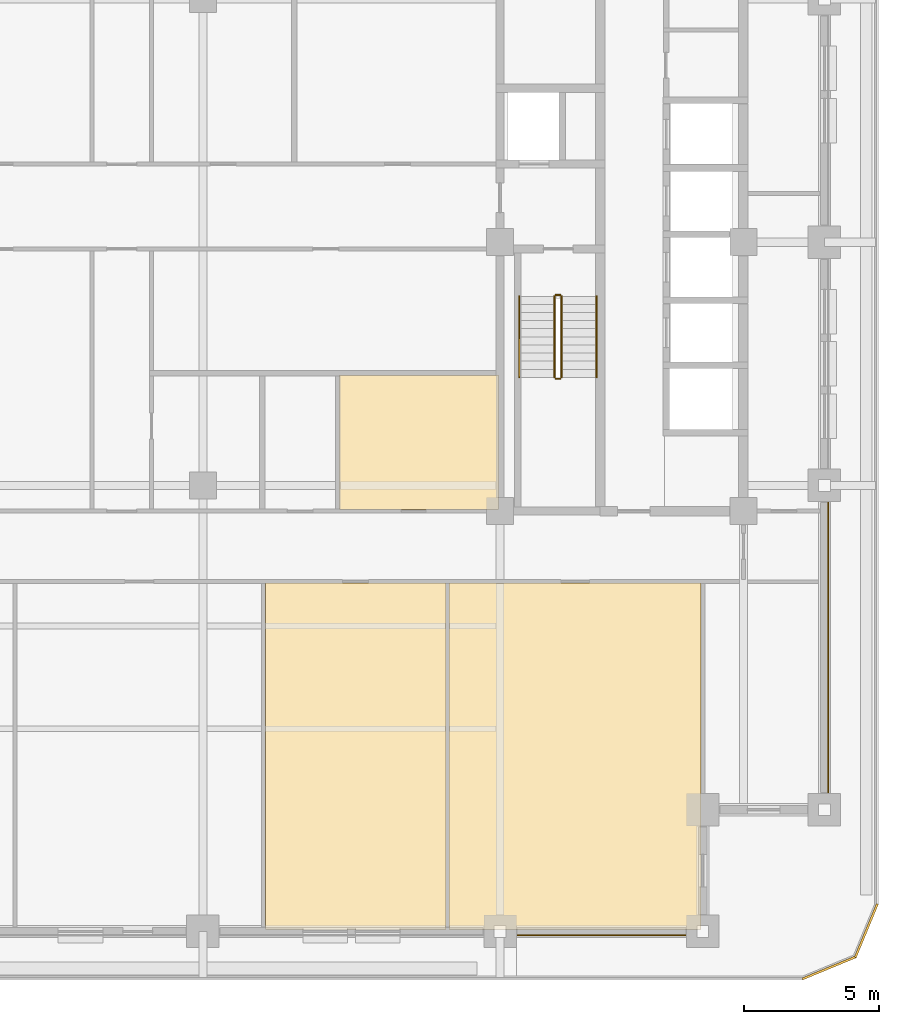
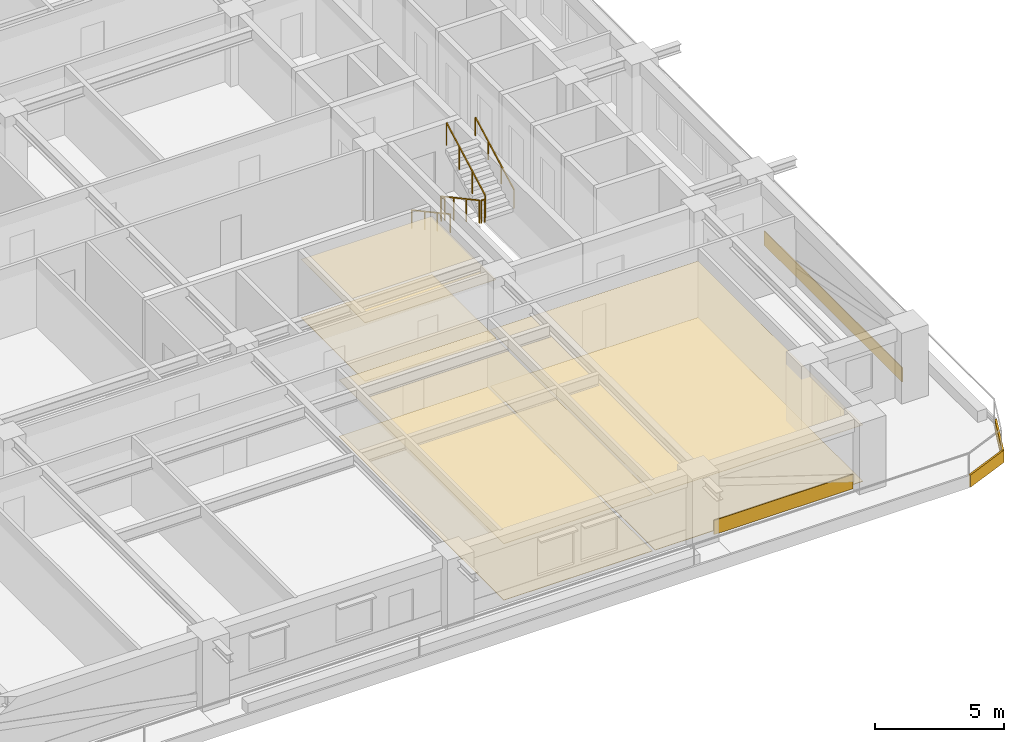
# One storey, part 14 of 16: 10 coverings, 6 railings.
"""IFC4 building model written with IfcOpenShell, lengths in metres."""

from ifc_helpers import new_model, si_unit, direction, frame, frame_2d, origin, origin_2d, place, context, subcontext, project, spatial, polyline, rectangle, outline, extrude, material, layer, layer_set, type_object, element, save


model = new_model("IFC4")

# Units and contexts
model_context = context("Model", 3, precision=1e-05, world=origin(), true_north=direction((0.0, 1.0)))
body_context = subcontext(model_context, "Body", "Model", "MODEL_VIEW")
ifc_project = project(units=[si_unit("LENGTHUNIT", "METRE"), si_unit("AREAUNIT", "SQUARE_METRE"), si_unit("VOLUMEUNIT", "CUBIC_METRE"), si_unit("PLANEANGLEUNIT", "RADIAN"), si_unit("MASSUNIT", "GRAM", prefix="KILO")], contexts=[model_context])

# Site, building, storey
site_placement = place(None, origin())
site = spatial("IfcSite", under=ifc_project, at=site_placement, CompositionType="ELEMENT")
building_placement = place(site_placement, origin())
building = spatial("IfcBuilding", under=site, at=building_placement, Name="Zulmaris Gate Convention Tower", CompositionType="ELEMENT")
storey_placement = place(building_placement, frame((0.0, 0.0, 124.919921875)))
storey = spatial("IfcBuildingStorey", under=building, at=storey_placement, Name="L31", CompositionType="ELEMENT", Elevation=124.919921875)

# Coverings
ifc_material_1 = material(Name="Precast concrete C40/50", Category="concrete")
ifc_layer_1 = layer(ifc_material_1, 0.0400390625, Name="Precast concrete C40/50")
ifc_layer_set_1 = layer_set([ifc_layer_1], Name="Precast concrete C40/50")
covering_type_1 = type_object("IfcCoveringType", Name="CLAD-SPANDREL-PRECAST", PredefinedType="CLADDING", material=ifc_layer_set_1)
covering_1_placement = place(storey_placement, frame((11.6298828125, -25.64990234375, 0.0), z_axis=(0.0, 0.0, 1.0), x_axis=(1.0, 0.0, 0.0)))
element("IfcCovering", 1, at=covering_1_placement, inside=storey, type_object=covering_type_1, Name="CLD-L31-S-3_0", PredefinedType="CLADDING", context=body_context, shape_type="SweptSolid", body=[
    extrude(rectangle(XDim=6.240234375, YDim=0.0400390625, at=frame_2d((3.1201171875, 0.0))), origin(), (0.0, 0.0, 1.0), 0.679931640625),
])
covering_2_placement = place(storey_placement, frame((23.14990234375, -20.3701171875, 0.0), z_axis=(0.0, 0.0, 1.0), x_axis=(0.0, 1.0, 0.0)))
element("IfcCovering", 2, at=covering_2_placement, inside=storey, type_object=covering_type_1, Name="CLD-L31-E-0_0", PredefinedType="CLADDING", context=body_context, shape_type="SweptSolid", body=[
    extrude(rectangle(XDim=10.740234375, YDim=0.0400390625, at=frame_2d((5.3701171875, 0.0))), origin(), (0.0, 0.0, 1.0), 0.679931640625),
])
ifc_material_2 = material(Name="White Glazed Architectural Precast Concrete C40/50", Category="concrete")
ifc_layer_2 = layer(ifc_material_2, 0.080078125, Name="White Glazed Architectural Precast Concrete C40/50")
ifc_layer_set_2 = layer_set([ifc_layer_2], Name="White Glazed Architectural Precast Concrete C40/50")
covering_type_2 = type_object("IfcCoveringType", Name="CLAD-TRAY-FASCIA", PredefinedType="CLADDING", material=ifc_layer_set_2)
covering_3_placement = place(storey_placement, frame((22.184814453125, -27.262939453125, -0.465087890625), z_axis=(0.0, 0.0, 1.0), x_axis=(0.923873803533, 0.382697263049, 0.0)))
element("IfcCovering", 3, at=covering_3_placement, inside=storey, type_object=covering_type_2, Name="FSC-L31-TR-03", PredefinedType="CLADDING", context=body_context, shape_type="SweptSolid", body=[
    extrude(rectangle(XDim=2.142822265625, YDim=0.080078125, at=frame_2d((1.0712890625, 0.0))), origin(), (0.0, 0.0, 1.0), 0.5849609375),
])
covering_4_placement = place(storey_placement, frame((24.142822265625, -26.464599609375, -0.465087890625), z_axis=(0.0, 0.0, 1.0), x_axis=(0.382656984709, 0.923890487046, 0.0)))
element("IfcCovering", 4, at=covering_4_placement, inside=storey, type_object=covering_type_2, Name="FSC-L31-TR-04", PredefinedType="CLADDING", context=body_context, shape_type="SweptSolid", body=[
    extrude(rectangle(XDim=2.14306640625, YDim=0.080078125, at=frame_2d((1.071533203125, 0.0))), origin(), (0.0, 0.0, 1.0), 0.5849609375),
])
ifc_material_3 = material(Name="Mineral Fibre Acoustic Ceiling Tile")
ifc_layer_3 = layer(ifc_material_3, 0.02001953125, Name="Mineral Fibre Acoustic Ceiling Tile")
ifc_layer_set_3 = layer_set([ifc_layer_3], Name="Mineral Fibre Acoustic Ceiling Tile")
covering_type_3 = type_object("IfcCoveringType", Name="CLG-ACOUSTIC-600", PredefinedType="CEILING", material=ifc_layer_set_3)
covering_5_placement = place(storey_placement, frame((0.0, 0.0, 2.6796875)))
element("IfcCovering", 5, at=covering_5_placement, inside=storey, type_object=covering_type_3, Name="CLG-L31-R39", PredefinedType="CEILING", context=body_context, shape_type="SweptSolid", body=[
    extrude(outline(polyline([(2.31005859375, -25.43994140625), (8.989990234375, -25.43994140625), (8.989990234375, -12.610107421875), (2.31005859375, -12.610107421875), (2.31005859375, -25.43994140625)])), origin(), (0.0, 0.0, 1.0), 0.02001953125),
])
covering_6_placement = place(storey_placement, frame((0.0, 0.0, 2.6796875)))
element("IfcCovering", 6, at=covering_6_placement, inside=storey, type_object=covering_type_3, Name="CLG-L31-R40", PredefinedType="CEILING", context=body_context, shape_type="SweptSolid", body=[
    extrude(outline(polyline([(9.110107421875, -25.43994140625), (18.43994140625, -25.43994140625), (18.43994140625, -12.610107421875), (9.110107421875, -12.610107421875), (9.110107421875, -25.43994140625)])), origin(), (0.0, 0.0, 1.0), 0.02001953125),
])
covering_7_placement = place(storey_placement, frame((0.0, 0.0, 2.77783203125)))
element("IfcCovering", 7, at=covering_7_placement, inside=storey, type_object=covering_type_3, Name="CLG-L31-R48", PredefinedType="CEILING", context=body_context, shape_type="SweptSolid", body=[
    extrude(outline(polyline([(5.06005859375, -9.889892578125), (10.93994140625, -9.889892578125), (10.93994140625, -4.909912109375), (5.06005859375, -4.909912109375), (5.06005859375, -9.889892578125)])), origin(), (0.0, 0.0, 1.0), 0.02001953125),
])
ifc_material_4 = material(Name="Woven Acoustic Wool Carpet Tile")
ifc_layer_4 = layer(ifc_material_4, 0.02001953125, Name="Woven Acoustic Wool Carpet Tile")
ifc_layer_set_4 = layer_set([ifc_layer_4], Name="Woven Acoustic Wool Carpet Tile")
covering_type_4 = type_object("IfcCoveringType", Name="FLR-CARPET-12", PredefinedType="FLOORING", material=ifc_layer_set_4)
covering_8_placement = place(storey_placement, origin())
element("IfcCovering", 8, at=covering_8_placement, inside=storey, type_object=covering_type_4, Name="FLR-L31-R39", PredefinedType="FLOORING", context=body_context, shape_type="SweptSolid", body=[
    extrude(outline(polyline([(2.31005859375, -25.43994140625), (8.989990234375, -25.43994140625), (8.989990234375, -12.610107421875), (2.31005859375, -12.610107421875), (2.31005859375, -25.43994140625)])), origin(), (0.0, 0.0, 1.0), 0.02001953125),
])
covering_9_placement = place(storey_placement, origin())
element("IfcCovering", 9, at=covering_9_placement, inside=storey, type_object=covering_type_4, Name="FLR-L31-R40", PredefinedType="FLOORING", context=body_context, shape_type="SweptSolid", body=[
    extrude(outline(polyline([(9.110107421875, -25.43994140625), (18.43994140625, -25.43994140625), (18.43994140625, -12.610107421875), (9.110107421875, -12.610107421875), (9.110107421875, -25.43994140625)])), origin(), (0.0, 0.0, 1.0), 0.02001953125),
])
covering_10_placement = place(storey_placement, origin())
element("IfcCovering", 10, at=covering_10_placement, inside=storey, type_object=covering_type_4, Name="FLR-L31-R48", PredefinedType="FLOORING", context=body_context, shape_type="SweptSolid", body=[
    extrude(outline(polyline([(5.06005859375, -9.889892578125), (10.93994140625, -9.889892578125), (10.93994140625, -4.909912109375), (5.06005859375, -4.909912109375), (5.06005859375, -9.889892578125)])), origin(), (0.0, 0.0, 1.0), 0.02001953125),
])

# Railings
ifc_material_5 = material(Name="Painted Galvanised Steel", Category="steel")
railing_type_1 = type_object("IfcRailingType", Name="RL-STG-1150", PredefinedType="GUARDRAIL", material=ifc_material_5)
railing_1_placement = place(storey_placement, frame((13.010009765625, -2.0, 0.162353515625)))
element("IfcRailing", 11, at=railing_1_placement, inside=storey, type_object=railing_type_1, Name="L31 ST-2 stair guard 1", PredefinedType="GUARDRAIL", context=body_context, shape_type="SweptSolid", body=[
    extrude(rectangle(XDim=0.048095703125, YDim=0.048095703125, at=origin_2d()), frame((0.0, 0.0, 1.076171875), z_axis=(0.0, -0.879591569277, 0.475729619907), x_axis=(1.0, 0.0, 0.0)), (0.0, 0.0, 1.0), 3.41064453125),
    extrude(rectangle(XDim=0.0419921875, YDim=0.0419921875, at=origin_2d()), origin(), (0.0, 0.0, 1.0), 1.052001953125),
    extrude(rectangle(XDim=0.0419921875, YDim=0.0419921875, at=origin_2d()), frame((0.0, -1.0, 0.540771484375)), (0.0, 0.0, 1.0), 1.052001953125),
    extrude(rectangle(XDim=0.0419921875, YDim=0.0419921875, at=origin_2d()), frame((0.0, -2.0, 1.081787109375)), (0.0, 0.0, 1.0), 1.052001953125),
    extrude(rectangle(XDim=0.0419921875, YDim=0.0419921875, at=origin_2d()), frame((0.0, -3.0, 1.62255859375)), (0.0, 0.0, 1.0), 1.052001953125),
])
railing_2_placement = place(storey_placement, frame((13.06005859375, -5.050048828125, 1.784912109375)))
element("IfcRailing", 12, at=railing_2_placement, inside=storey, type_object=railing_type_1, Name="L31 ST-2 stair guard 2", PredefinedType="GUARDRAIL", context=body_context, shape_type="SweptSolid", body=[
    extrude(rectangle(XDim=0.048095703125, YDim=0.048095703125, at=origin_2d()), frame((0.0, 0.0, 1.076171875), z_axis=(1.0, 0.0, 0.0), x_axis=(0.0, 1.0, 0.0)), (0.0, 0.0, 1.0), 0.159912109375),
    extrude(rectangle(XDim=0.0419921875, YDim=0.0419921875, at=origin_2d()), origin(), (0.0, 0.0, 1.0), 1.052001953125),
    extrude(rectangle(XDim=0.0419921875, YDim=0.0419921875, at=origin_2d()), frame((0.159912109375, 0.0, 0.0)), (0.0, 0.0, 1.0), 1.052001953125),
])
railing_3_placement = place(storey_placement, frame((13.27001953125, -5.0, 1.947021484375)))
element("IfcRailing", 13, at=railing_3_placement, inside=storey, type_object=railing_type_1, Name="L31 ST-2 stair guard 3", PredefinedType="GUARDRAIL", context=body_context, shape_type="SweptSolid", body=[
    extrude(rectangle(XDim=0.048095703125, YDim=0.048095703125, at=origin_2d()), frame((0.0, 0.0, 1.076171875), z_axis=(0.0, 0.8795616155, 0.475784998228), x_axis=(-1.0, 0.0, 0.0)), (0.0, 0.0, 1.0), 3.410888671875),
    extrude(rectangle(XDim=0.0419921875, YDim=0.0419921875, at=origin_2d()), origin(), (0.0, 0.0, 1.0), 1.052001953125),
    extrude(rectangle(XDim=0.0419921875, YDim=0.0419921875, at=origin_2d()), frame((0.0, 1.0, 0.541015625)), (0.0, 0.0, 1.0), 1.052001953125),
    extrude(rectangle(XDim=0.0419921875, YDim=0.0419921875, at=origin_2d()), frame((0.0, 2.0, 1.081787109375)), (0.0, 0.0, 1.0), 1.052001953125),
    extrude(rectangle(XDim=0.0419921875, YDim=0.0419921875, at=origin_2d()), frame((0.0, 3.0, 1.622802734375)), (0.0, 0.0, 1.0), 1.052001953125),
])
railing_4_placement = place(storey_placement, frame((13.06005859375, -1.949951171875, 0.0)))
element("IfcRailing", 14, at=railing_4_placement, inside=storey, type_object=railing_type_1, Name="L31 ST-2 stair guard 4", PredefinedType="GUARDRAIL", context=body_context, shape_type="SweptSolid", body=[
    extrude(rectangle(XDim=0.048095703125, YDim=0.048095703125, at=origin_2d()), frame((0.0, 0.0, 1.076171875), z_axis=(1.0, 0.0, 0.0), x_axis=(0.0, 1.0, 0.0)), (0.0, 0.0, 1.0), 0.159912109375),
    extrude(rectangle(XDim=0.0419921875, YDim=0.0419921875, at=origin_2d()), origin(), (0.0, 0.0, 1.0), 1.052001953125),
    extrude(rectangle(XDim=0.0419921875, YDim=0.0419921875, at=origin_2d()), frame((0.159912109375, 0.0, 0.0)), (0.0, 0.0, 1.0), 1.052001953125),
])
ifc_material_6 = material(Name="Brushed Stainless Steel", Category="steel")
railing_type_2 = type_object("IfcRailingType", Name="RL-STH-900", PredefinedType="HANDRAIL", material=ifc_material_6)
railing_5_placement = place(storey_placement, frame((11.7099609375, -2.0, 0.162353515625)))
element("IfcRailing", 15, at=railing_5_placement, inside=storey, type_object=railing_type_2, Name="L31 ST-2 stair handrail 1", PredefinedType="HANDRAIL", context=body_context, shape_type="SweptSolid", body=[
    extrude(rectangle(XDim=0.048095703125, YDim=0.048095703125, at=origin_2d()), frame((0.0, 0.0, 0.8759765625), z_axis=(0.0, -0.879591569277, 0.475729619907), x_axis=(1.0, 0.0, 0.0)), (0.0, 0.0, 1.0), 3.41064453125),
    extrude(rectangle(XDim=0.0419921875, YDim=0.0419921875, at=origin_2d()), origin(), (0.0, 0.0, 1.0), 0.851806640625),
    extrude(rectangle(XDim=0.0419921875, YDim=0.0419921875, at=origin_2d()), frame((0.0, -1.0, 0.540771484375)), (0.0, 0.0, 1.0), 0.851806640625),
    extrude(rectangle(XDim=0.0419921875, YDim=0.0419921875, at=origin_2d()), frame((0.0, -2.0, 1.081787109375)), (0.0, 0.0, 1.0), 0.851806640625),
    extrude(rectangle(XDim=0.0419921875, YDim=0.0419921875, at=origin_2d()), frame((0.0, -3.0, 1.62255859375)), (0.0, 0.0, 1.0), 0.851806640625),
])
railing_6_placement = place(storey_placement, frame((14.570068359375, -5.0, 1.947021484375)))
element("IfcRailing", 16, at=railing_6_placement, inside=storey, type_object=railing_type_2, Name="L31 ST-2 stair handrail 2", PredefinedType="HANDRAIL", context=body_context, shape_type="SweptSolid", body=[
    extrude(rectangle(XDim=0.048095703125, YDim=0.048095703125, at=origin_2d()), frame((0.0, 0.0, 0.8759765625), z_axis=(0.0, 0.8795616155, 0.475784998228), x_axis=(-1.0, 0.0, 0.0)), (0.0, 0.0, 1.0), 3.410888671875),
    extrude(rectangle(XDim=0.0419921875, YDim=0.0419921875, at=origin_2d()), origin(), (0.0, 0.0, 1.0), 0.851806640625),
    extrude(rectangle(XDim=0.0419921875, YDim=0.0419921875, at=origin_2d()), frame((0.0, 1.0, 0.541015625)), (0.0, 0.0, 1.0), 0.851806640625),
    extrude(rectangle(XDim=0.0419921875, YDim=0.0419921875, at=origin_2d()), frame((0.0, 2.0, 1.081787109375)), (0.0, 0.0, 1.0), 0.851806640625),
    extrude(rectangle(XDim=0.0419921875, YDim=0.0419921875, at=origin_2d()), frame((0.0, 3.0, 1.622802734375)), (0.0, 0.0, 1.0), 0.851806640625),
])

save(model, "model.ifc")
